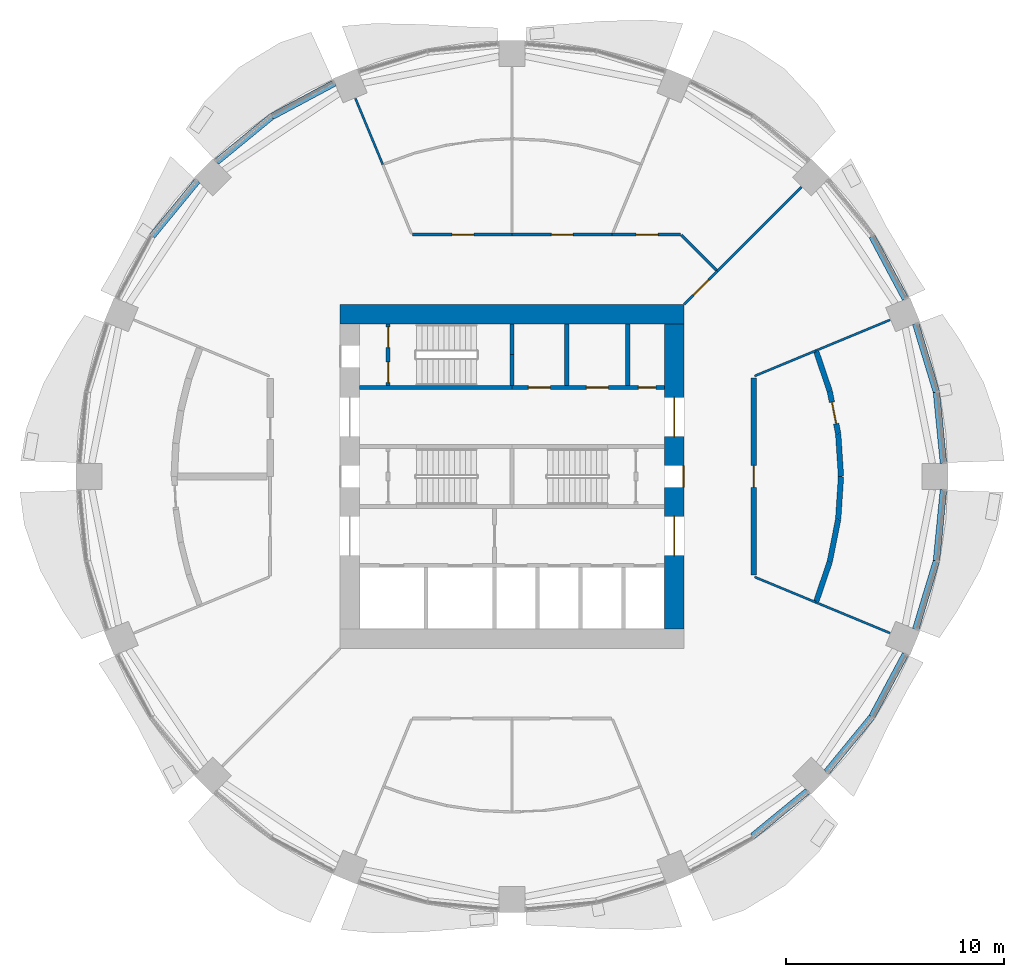
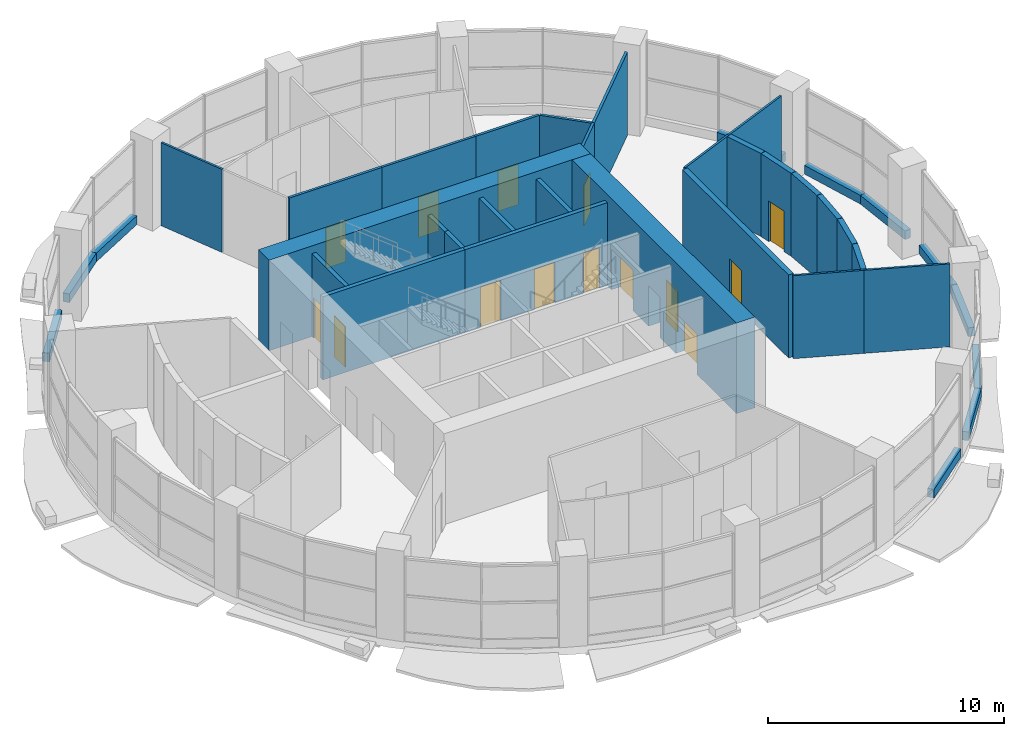
# One storey, part 9 of 14: 38 walls, 14 doors, 14 openings.
"""IFC4 building model written with IfcOpenShell, lengths in metres."""

from ifc_helpers import new_model, si_unit, direction, frame, frame_2d, origin, place, context, subcontext, project, spatial, rectangle, extrude, material, layer, layer_set, type_object, element, fill, save


model = new_model("IFC4")

# Units and contexts
model_context = context("Model", 3, precision=1e-05, world=origin(), true_north=direction((0.0, 1.0)))
body_context = subcontext(model_context, "Body", "Model", "MODEL_VIEW")
ifc_project = project(units=[si_unit("LENGTHUNIT", "METRE"), si_unit("AREAUNIT", "SQUARE_METRE"), si_unit("VOLUMEUNIT", "CUBIC_METRE"), si_unit("PLANEANGLEUNIT", "RADIAN"), si_unit("MASSUNIT", "GRAM", prefix="KILO")], contexts=[model_context])

# Site, building, storey
site_placement = place(None, origin())
site = spatial("IfcSite", under=ifc_project, at=site_placement, CompositionType="ELEMENT")
building_placement = place(site_placement, origin())
building = spatial("IfcBuilding", under=site, at=building_placement, Name="Polderwave Tower", CompositionType="ELEMENT")
storey_placement = place(building_placement, frame((0.0, 0.0, 5.199951171875)))
storey = spatial("IfcBuildingStorey", under=building, at=storey_placement, Name="L01", CompositionType="ELEMENT", Elevation=5.199951171875)

# Wall
ifc_material_1 = material(Name="Concrete C80/95", Category="concrete")
ifc_layer_1 = layer(ifc_material_1, 0.89990234375)
ifc_layer_set_1 = layer_set([ifc_layer_1], Name="CORE WALL 900 C80/95")
wall_type_1 = type_object("IfcWallType", Name="CORE WALL 900 C80/95", PredefinedType="SHEAR", material=ifc_layer_set_1)
wall_1_placement = place(storey_placement, frame((-7.8740234375, 7.424072265625, 0.0), z_axis=(0.0, 0.0, 1.0), x_axis=(1.0, 0.0, 0.0)))
element("IfcWall", 1, at=wall_1_placement, inside=storey, type_object=wall_type_1, Name="ST-CORE-L01-N", PredefinedType="SHEAR", context=body_context, shape_type="SweptSolid", body=[
    extrude(rectangle(XDim=15.748046875, YDim=0.89990234375, at=frame_2d((7.8740234375, 0.0))), origin(), (0.0, 0.0, 1.0), 4.699951171875),
])

# Wall, openings, doors
wall_2_placement = place(storey_placement, frame((7.424072265625, -6.97412109375, 0.0), z_axis=(0.0, 0.0, 1.0), x_axis=(0.0, 1.0, 0.0)))
wall_2 = element("IfcWall", 2, at=wall_2_placement, inside=storey, type_object=wall_type_1, Name="ST-CORE-L01-E", PredefinedType="SHEAR", context=body_context, shape_type="SweptSolid", body=[
    extrude(rectangle(XDim=13.9482421875, YDim=0.89990234375, at=frame_2d((6.97412109375, 0.0))), origin(), (0.0, 0.0, 1.0), 4.699951171875),
])
opening_1_placement = place(wall_2_placement, frame((6.47412109375, 0.0, 0.0)))
opening_1 = element("IfcOpeningElement", 3, at=opening_1_placement, cuts=wall_2, Name="Opening L01-D21", PredefinedType="OPENING", context=body_context, shape_type="SweptSolid", body=[
    extrude(rectangle(XDim=1.0, YDim=2.10009765625, at=frame_2d((0.5, 1.050048828125))), frame((0.0, 0.4599609375, 0.0), z_axis=(0.0, -1.0, 0.0), x_axis=(1.0, 0.0, 0.0)), (0.0, 0.0, 1.0), 0.919921875),
])
opening_2_placement = place(wall_2_placement, frame((3.349609375, 0.0, 0.0)))
opening_2 = element("IfcOpeningElement", 4, at=opening_2_placement, cuts=wall_2, Name="Opening L01-D22", PredefinedType="OPENING", context=body_context, shape_type="SweptSolid", body=[
    extrude(rectangle(XDim=1.800048828125, YDim=2.10009765625, at=frame_2d((0.89990234375, 1.050048828125))), frame((0.0, 0.4599609375, 0.0), z_axis=(0.0, -1.0, 0.0), x_axis=(1.0, 0.0, 0.0)), (0.0, 0.0, 1.0), 0.919921875),
])
opening_3_placement = place(wall_2_placement, frame((8.798583984375, 0.0, 0.0)))
opening_3 = element("IfcOpeningElement", 5, at=opening_3_placement, cuts=wall_2, Name="Opening L01-D23", PredefinedType="OPENING", context=body_context, shape_type="SweptSolid", body=[
    extrude(rectangle(XDim=1.800048828125, YDim=2.10009765625, at=frame_2d((0.89990234375, 1.050048828125))), frame((0.0, 0.4599609375, 0.0), z_axis=(0.0, -1.0, 0.0), x_axis=(1.0, 0.0, 0.0)), (0.0, 0.0, 1.0), 0.919921875),
])
ifc_material_2 = material(Name="Steel fire door", Category="steel")
door_type_1 = type_object("IfcDoorType", Name="Lobby entry door pair 1800", OperationType="DOUBLE_DOOR_SINGLE_SWING", PredefinedType="DOOR", material=ifc_material_2)
door_1_placement = place(opening_2_placement, frame((1.800048828125, 0.0, 0.0), z_axis=(0.0, 0.0, 1.0), x_axis=(-1.0, 0.0, 0.0)))
door_1 = element("IfcDoor", 6, at=door_1_placement, inside=storey, type_object=door_type_1, Name="South lobby entry door", OperationType="DOUBLE_DOOR_SINGLE_SWING", OverallHeight=2.10009765625, OverallWidth=1.800048828125, PredefinedType="DOOR", context=body_context, shape_type="SweptSolid", body=[
    extrude(rectangle(XDim=1.800048828125, YDim=2.10009765625, at=frame_2d((0.89990234375, 1.050048828125))), frame((0.0, 0.02490234375, 0.0), z_axis=(0.0, -1.0, 0.0), x_axis=(1.0, 0.0, 0.0)), (0.0, 0.0, 1.0), 0.050048828125),
])
fill(opening_2, door_1)
door_2_placement = place(opening_3_placement, frame((1.800048828125, 0.0, 0.0), z_axis=(0.0, 0.0, 1.0), x_axis=(-1.0, 0.0, 0.0)))
door_2 = element("IfcDoor", 7, at=door_2_placement, inside=storey, type_object=door_type_1, Name="North lobby entry door", OperationType="DOUBLE_DOOR_SINGLE_SWING", OverallHeight=2.10009765625, OverallWidth=1.800048828125, PredefinedType="DOOR", context=body_context, shape_type="SweptSolid", body=[
    extrude(rectangle(XDim=1.800048828125, YDim=2.10009765625, at=frame_2d((0.89990234375, 1.050048828125))), frame((0.0, 0.02490234375, 0.0), z_axis=(0.0, -1.0, 0.0), x_axis=(1.0, 0.0, 0.0)), (0.0, 0.0, 1.0), 0.050048828125),
])
fill(opening_3, door_2)
door_type_2 = type_object("IfcDoorType", Name="Stair door 1000", OperationType="NOTDEFINED", PredefinedType="DOOR", material=ifc_material_2)
door_3_placement = place(opening_1_placement, frame((1.0, 0.0, 0.0), z_axis=(0.0, 0.0, 1.0), x_axis=(-1.0, 0.0, 0.0)))
door_3 = element("IfcDoor", 8, at=door_3_placement, inside=storey, type_object=door_type_2, Name="Stair B entry door", OperationType="SINGLE_SWING_LEFT", OverallHeight=2.10009765625, OverallWidth=1.0, PredefinedType="DOOR", context=body_context, shape_type="SweptSolid", body=[
    extrude(rectangle(XDim=1.0, YDim=2.10009765625, at=frame_2d((0.5, 1.050048828125))), frame((0.0, 0.4501953125, 0.0), z_axis=(0.0, -1.0, 0.0), x_axis=(1.0, 0.0, 0.0)), (0.0, 0.0, 1.0), 0.050048828125),
])
fill(opening_1, door_3)

# Walls
ifc_material_3 = material(Name="Concrete C50/60 (board-marked)", Category="concrete")
ifc_layer_2 = layer(ifc_material_3, 0.300048828125)
ifc_layer_set_2 = layer_set([ifc_layer_2], Name="Concrete spandrel upstand C50/60")
wall_type_2 = type_object("IfcWallType", Name="Concrete spandrel upstand C50/60", PredefinedType="SOLIDWALL", material=ifc_layer_set_2)
wall_3_placement = place(storey_placement, frame((19.74951171875, 0.61279296875, 0.0), z_axis=(0.0, 0.0, 1.0), x_axis=(-0.098121081057, 0.995174483923, 0.0)))
element("IfcWall", 9, at=wall_3_placement, inside=storey, type_object=wall_type_2, Name="Spandrel L01 1a", PredefinedType="SOLIDWALL", context=body_context, shape_type="SweptSolid", body=[
    extrude(rectangle(XDim=3.251953125, YDim=0.300048828125, at=frame_2d((1.6259765625, 0.0))), origin(), (0.0, 0.0, 1.0), 0.449951171875),
])
wall_4_placement = place(storey_placement, frame((19.424560546875, 3.87841796875, 0.0), z_axis=(0.0, 0.0, 1.0), x_axis=(-0.290301164038, 0.956935334366, 0.0)))
element("IfcWall", 10, at=wall_4_placement, inside=storey, type_object=wall_type_2, Name="Spandrel L01 1b", PredefinedType="SOLIDWALL", context=body_context, shape_type="SweptSolid", body=[
    extrude(rectangle(XDim=3.252197265625, YDim=0.300048828125, at=frame_2d((1.6259765625, 0.0))), origin(), (0.0, 0.0, 1.0), 0.449951171875),
])
for number, where, z_axis, x_axis, name in (
    (11, (18.010986328125, 8.124267578125, 0.0), (0.0, 0.0, 1.0), (-0.471308820961, 0.881968250723, 0.0), "Spandrel L01 2a"),
    (12, (-8.124267578125, 18.010986328125, 0.0), (0.0, 0.0, 1.0), (-0.881968250723, -0.471308820961, 0.0), "Spandrel L01 6a"),
):
    element("IfcWall", number, at=place(storey_placement, frame(where, z_axis=z_axis, x_axis=x_axis)), inside=storey, type_object=wall_type_2, Name=name, PredefinedType="SOLIDWALL", context=body_context, shape_type="SweptSolid", body=[
        extrude(rectangle(XDim=3.25244140625, YDim=0.300048828125, at=frame_2d((1.626220703125, 0.0))), origin(), (0.0, 0.0, 1.0), 0.449951171875),
    ])
for number, where, z_axis, x_axis, name in (
    (13, (-11.017578125, 16.46142578125, 0.0), (0.0, 0.0, 1.0), (-0.773177214117, -0.634190031119, 0.0), "Spandrel L01 6b"),
    (14, (-14.3994140625, 13.531494140625, 0.0), (0.0, 0.0, 1.0), (-0.634190031119, -0.773177214117, 0.0), "Spandrel L01 7a"),
    (15, (11.017578125, -16.46142578125, 0.0), (0.0, 0.0, 1.0), (0.773177214117, 0.634190031119, 0.0), "Spandrel L01 14b"),
    (16, (14.3994140625, -13.531494140625, 0.0), (0.0, 0.0, 1.0), (0.634190031119, 0.773177214117, 0.0), "Spandrel L01 15a"),
):
    element("IfcWall", number, at=place(storey_placement, frame(where, z_axis=z_axis, x_axis=x_axis)), inside=storey, type_object=wall_type_2, Name=name, PredefinedType="SOLIDWALL", context=body_context, shape_type="SweptSolid", body=[
        extrude(rectangle(XDim=3.25146484375, YDim=0.300048828125, at=frame_2d((1.625732421875, 0.0))), origin(), (0.0, 0.0, 1.0), 0.449951171875),
    ])
wall_5_placement = place(storey_placement, frame((16.47802734375, -10.992919921875, 0.0), z_axis=(0.0, 0.0, 1.0), x_axis=(0.471308820961, 0.881968250723, 0.0)))
element("IfcWall", 17, at=wall_5_placement, inside=storey, type_object=wall_type_2, Name="Spandrel L01 15b", PredefinedType="SOLIDWALL", context=body_context, shape_type="SweptSolid", body=[
    extrude(rectangle(XDim=3.25244140625, YDim=0.300048828125, at=frame_2d((1.626220703125, 0.0))), origin(), (0.0, 0.0, 1.0), 0.449951171875),
])
wall_6_placement = place(storey_placement, frame((18.48046875, -6.990478515625, 0.0), z_axis=(0.0, 0.0, 1.0), x_axis=(0.290301164038, 0.956935334366, 0.0)))
element("IfcWall", 18, at=wall_6_placement, inside=storey, type_object=wall_type_2, Name="Spandrel L01 16a", PredefinedType="SOLIDWALL", context=body_context, shape_type="SweptSolid", body=[
    extrude(rectangle(XDim=3.252197265625, YDim=0.300048828125, at=frame_2d((1.6259765625, 0.0))), origin(), (0.0, 0.0, 1.0), 0.449951171875),
])
wall_7_placement = place(storey_placement, frame((19.430419921875, -3.84912109375, 0.0), z_axis=(0.0, 0.0, 1.0), x_axis=(0.098121081057, 0.995174483923, 0.0)))
element("IfcWall", 19, at=wall_7_placement, inside=storey, type_object=wall_type_2, Name="Spandrel L01 16b", PredefinedType="SOLIDWALL", context=body_context, shape_type="SweptSolid", body=[
    extrude(rectangle(XDim=3.251953125, YDim=0.300048828125, at=frame_2d((1.6259765625, 0.0))), origin(), (0.0, 0.0, 1.0), 0.449951171875),
])
ifc_material_4 = material(Name="Gypsum board partition")
ifc_layer_3 = layer(ifc_material_4, 0.199951171875)
ifc_layer_set_3 = layer_set([ifc_layer_3], Name="Core room partition 200")
wall_type_3 = type_object("IfcWallType", Name="Core room partition 200", PredefinedType="PARTITIONING", material=ifc_layer_set_3)
wall_8_placement = place(storey_placement, frame((2.508544921875, 4.174072265625, 0.0), z_axis=(0.0, 0.0, 1.0), x_axis=(0.0, 1.0, 0.0)))
element("IfcWall", 20, at=wall_8_placement, inside=storey, type_object=wall_type_3, Name="L01 room partition N1", PredefinedType="PARTITIONING", context=body_context, shape_type="SweptSolid", body=[
    extrude(rectangle(XDim=2.800048828125, YDim=0.199951171875, at=frame_2d((1.39990234375, 0.0))), origin(), (0.0, 0.0, 1.0), 4.300048828125),
])

# Wall, openings, doors
wall_9_placement = place(storey_placement, frame((-5.674072265625, 4.174072265625, 0.0), z_axis=(0.0, 0.0, 1.0), x_axis=(0.0, 1.0, 0.0)))
wall_9 = element("IfcWall", 21, at=wall_9_placement, inside=storey, type_object=wall_type_3, Name="L01 smoke lobby wall C", PredefinedType="PARTITIONING", context=body_context, shape_type="SweptSolid", body=[
    extrude(rectangle(XDim=2.800048828125, YDim=0.199951171875, at=frame_2d((1.39990234375, 0.0))), origin(), (0.0, 0.0, 1.0), 4.300048828125),
])
opening_4_placement = place(wall_9_placement, frame((0.125, 0.0, 0.0)))
opening_4 = element("IfcOpeningElement", 22, at=opening_4_placement, cuts=wall_9, Name="Opening L01-D11", PredefinedType="OPENING", context=body_context, shape_type="SweptSolid", body=[
    extrude(rectangle(XDim=0.949951171875, YDim=2.10009765625, at=frame_2d((0.47509765625, 1.050048828125))), frame((0.0, 0.10986328125, 0.0), z_axis=(0.0, -1.0, 0.0), x_axis=(1.0, 0.0, 0.0)), (0.0, 0.0, 1.0), 0.219970703125),
])
opening_5_placement = place(wall_9_placement, frame((1.72509765625, 0.0, 0.0)))
opening_5 = element("IfcOpeningElement", 23, at=opening_5_placement, cuts=wall_9, Name="Opening L01-D12", PredefinedType="OPENING", context=body_context, shape_type="SweptSolid", body=[
    extrude(rectangle(XDim=0.949951171875, YDim=2.10009765625, at=frame_2d((0.47509765625, 1.050048828125))), frame((0.0, 0.10986328125, 0.0), z_axis=(0.0, -1.0, 0.0), x_axis=(1.0, 0.0, 0.0)), (0.0, 0.0, 1.0), 0.219970703125),
])
door_type_3 = type_object("IfcDoorType", Name="Smoke lobby door 950", OperationType="NOTDEFINED", PredefinedType="DOOR", material=ifc_material_2)
door_4_placement = place(opening_4_placement, origin())
door_4 = element("IfcDoor", 24, at=door_4_placement, inside=storey, type_object=door_type_3, Name="Stair C smoke lobby inner door", OperationType="SINGLE_SWING_LEFT", OverallHeight=2.10009765625, OverallWidth=0.949951171875, PredefinedType="DOOR", context=body_context, shape_type="SweptSolid", body=[
    extrude(rectangle(XDim=0.949951171875, YDim=2.10009765625, at=frame_2d((0.47509765625, 1.050048828125))), frame((0.0, 0.02490234375, 0.0), z_axis=(0.0, -1.0, 0.0), x_axis=(1.0, 0.0, 0.0)), (0.0, 0.0, 1.0), 0.050048828125),
])
fill(opening_4, door_4)
door_5_placement = place(opening_5_placement, origin())
door_5 = element("IfcDoor", 25, at=door_5_placement, inside=storey, type_object=door_type_3, Name="Stair C smoke lobby inner door", OperationType="SINGLE_SWING_RIGHT", OverallHeight=2.10009765625, OverallWidth=0.949951171875, PredefinedType="DOOR", context=body_context, shape_type="SweptSolid", body=[
    extrude(rectangle(XDim=0.949951171875, YDim=2.10009765625, at=frame_2d((0.47509765625, 1.050048828125))), frame((0.0, 0.02490234375, 0.0), z_axis=(0.0, -1.0, 0.0), x_axis=(1.0, 0.0, 0.0)), (0.0, 0.0, 1.0), 0.050048828125),
])
fill(opening_5, door_5)

# Wall
ifc_material_5 = material(Name="Concrete C50/60", Category="concrete")
ifc_layer_4 = layer(ifc_material_5, 0.199951171875)
ifc_layer_set_4 = layer_set([ifc_layer_4], Name="Core web wall 200")
wall_type_4 = type_object("IfcWallType", Name="Core web wall 200", PredefinedType="SHEAR", material=ifc_layer_set_4)
wall_10_placement = place(storey_placement, frame((-6.97412109375, 4.073974609375, 0.0), z_axis=(0.0, 0.0, 1.0), x_axis=(1.0, 0.0, 0.0)))
element("IfcWall", 26, at=wall_10_placement, inside=storey, type_object=wall_type_4, Name="L01 north front wall 1", PredefinedType="SHEAR", context=body_context, shape_type="SweptSolid", body=[
    extrude(rectangle(XDim=6.97412109375, YDim=0.199951171875, at=frame_2d((3.487060546875, 0.0))), origin(), (0.0, 0.0, 1.0), 4.300048828125),
])

# Wall, openings, doors
wall_11_placement = place(storey_placement, frame((0.0, 4.073974609375, 0.0), z_axis=(0.0, 0.0, 1.0), x_axis=(1.0, 0.0, 0.0)))
wall_11 = element("IfcWall", 27, at=wall_11_placement, inside=storey, type_object=wall_type_4, Name="L01 north front wall 2", PredefinedType="SHEAR", context=body_context, shape_type="SweptSolid", body=[
    extrude(rectangle(XDim=6.97412109375, YDim=0.199951171875, at=frame_2d((3.487060546875, 0.0))), origin(), (0.0, 0.0, 1.0), 4.300048828125),
])
opening_6_placement = place(wall_11_placement, frame((0.754150390625, 0.0, 0.0)))
opening_6 = element("IfcOpeningElement", 28, at=opening_6_placement, cuts=wall_11, Name="Opening L01-D14", PredefinedType="OPENING", context=body_context, shape_type="SweptSolid", body=[
    extrude(rectangle(XDim=1.0, YDim=2.10009765625, at=frame_2d((0.5, 1.050048828125))), frame((0.0, 0.10986328125, 0.0), z_axis=(0.0, -1.0, 0.0), x_axis=(1.0, 0.0, 0.0)), (0.0, 0.0, 1.0), 0.219970703125),
])
opening_7_placement = place(wall_11_placement, frame((3.406982421875, 0.0, 0.0)))
opening_7 = element("IfcOpeningElement", 29, at=opening_7_placement, cuts=wall_11, Name="Opening L01-D15", PredefinedType="OPENING", context=body_context, shape_type="SweptSolid", body=[
    extrude(rectangle(XDim=1.0, YDim=2.10009765625, at=frame_2d((0.5, 1.050048828125))), frame((0.0, 0.10986328125, 0.0), z_axis=(0.0, -1.0, 0.0), x_axis=(1.0, 0.0, 0.0)), (0.0, 0.0, 1.0), 0.219970703125),
])
opening_8_placement = place(wall_11_placement, frame((5.789794921875, 0.0, 0.0)))
opening_8 = element("IfcOpeningElement", 30, at=opening_8_placement, cuts=wall_11, Name="Opening L01-D16", PredefinedType="OPENING", context=body_context, shape_type="SweptSolid", body=[
    extrude(rectangle(XDim=0.800048828125, YDim=2.10009765625, at=frame_2d((0.39990234375, 1.050048828125))), frame((0.0, 0.10986328125, 0.0), z_axis=(0.0, -1.0, 0.0), x_axis=(1.0, 0.0, 0.0)), (0.0, 0.0, 1.0), 0.219970703125),
])
ifc_material_6 = material(Name="Timber door leaf", Category="wood")
door_type_4 = type_object("IfcDoorType", Name="Accessible WC door 1000", OperationType="NOTDEFINED", PredefinedType="DOOR", material=ifc_material_6)
door_6_placement = place(opening_6_placement, origin())
door_6 = element("IfcDoor", 31, at=door_6_placement, inside=storey, type_object=door_type_4, Name="Accessible WC door", OperationType="SINGLE_SWING_LEFT", OverallHeight=2.10009765625, OverallWidth=1.0, PredefinedType="DOOR", context=body_context, shape_type="SweptSolid", body=[
    extrude(rectangle(XDim=1.0, YDim=2.10009765625, at=frame_2d((0.5, 1.050048828125))), frame((0.0, 0.02490234375, 0.0), z_axis=(0.0, -1.0, 0.0), x_axis=(1.0, 0.0, 0.0)), (0.0, 0.0, 1.0), 0.050048828125),
])
fill(opening_6, door_6)
door_type_5 = type_object("IfcDoorType", Name="Riser door 800", OperationType="NOTDEFINED", PredefinedType="DOOR", material=ifc_material_2)
door_7_placement = place(opening_8_placement, frame((0.800048828125, 0.0, 0.0), z_axis=(0.0, 0.0, 1.0), x_axis=(-1.0, 0.0, 0.0)))
door_7 = element("IfcDoor", 32, at=door_7_placement, inside=storey, type_object=door_type_5, Name="Riser door", OperationType="SINGLE_SWING_LEFT", OverallHeight=2.10009765625, OverallWidth=0.800048828125, PredefinedType="DOOR", context=body_context, shape_type="SweptSolid", body=[
    extrude(rectangle(XDim=0.800048828125, YDim=2.10009765625, at=frame_2d((0.39990234375, 1.050048828125))), frame((0.0, 0.02490234375, 0.0), z_axis=(0.0, -1.0, 0.0), x_axis=(1.0, 0.0, 0.0)), (0.0, 0.0, 1.0), 0.050048828125),
])
fill(opening_8, door_7)
door_type_6 = type_object("IfcDoorType", Name="Room door 1000", OperationType="NOTDEFINED", PredefinedType="DOOR", material=ifc_material_6)
door_8_placement = place(opening_7_placement, origin())
door_8 = element("IfcDoor", 33, at=door_8_placement, inside=storey, type_object=door_type_6, Name="Pantry door", OperationType="SINGLE_SWING_RIGHT", OverallHeight=2.10009765625, OverallWidth=1.0, PredefinedType="DOOR", context=body_context, shape_type="SweptSolid", body=[
    extrude(rectangle(XDim=1.0, YDim=2.10009765625, at=frame_2d((0.5, 1.050048828125))), frame((0.0, 0.02490234375, 0.0), z_axis=(0.0, -1.0, 0.0), x_axis=(1.0, 0.0, 0.0)), (0.0, 0.0, 1.0), 0.050048828125),
])
fill(opening_7, door_8)

# Walls
wall_12_placement = place(storey_placement, frame((0.0, 4.174072265625, 0.0), z_axis=(0.0, 0.0, 1.0), x_axis=(0.0, 1.0, 0.0)))
element("IfcWall", 34, at=wall_12_placement, inside=storey, type_object=wall_type_4, Name="L01 stair C wall south", PredefinedType="SHEAR", context=body_context, shape_type="SweptSolid", body=[
    extrude(rectangle(XDim=1.39990234375, YDim=0.199951171875, at=frame_2d((0.699951171875, 0.0))), origin(), (0.0, 0.0, 1.0), 4.300048828125),
])
wall_13_placement = place(storey_placement, frame((0.0, 5.573974609375, 0.0), z_axis=(0.0, 0.0, 1.0), x_axis=(0.0, 1.0, 0.0)))
element("IfcWall", 35, at=wall_13_placement, inside=storey, type_object=wall_type_4, Name="L01 stair C wall north", PredefinedType="SHEAR", context=body_context, shape_type="SweptSolid", body=[
    extrude(rectangle(XDim=1.400146484375, YDim=0.199951171875, at=frame_2d((0.7001953125, 0.0))), origin(), (0.0, 0.0, 1.0), 4.300048828125),
])

# Wall, opening, door
ifc_material_7 = material(Name="Fire-resisting board on steel studs", Category="steel")
ifc_layer_5 = layer(ifc_material_7, 0.125)
ifc_layer_set_5 = layer_set([ifc_layer_5], Name="Corridor wall 125 mm EI 60")
wall_type_5 = type_object("IfcWallType", Name="Corridor wall 125 mm EI 60", PredefinedType="PARTITIONING", material=ifc_layer_set_5)
wall_14_placement = place(storey_placement, frame((7.8740234375, 7.8740234375, 0.0), z_axis=(0.0, 0.0, 1.0), x_axis=(0.707106781187, 0.707106781187, 0.0)))
wall_14 = element("IfcWall", 36, at=wall_14_placement, inside=storey, type_object=wall_type_5, Name="IN-L01-W001", PredefinedType="PARTITIONING", context=body_context, shape_type="SweptSolid", body=[
    extrude(rectangle(XDim=2.16455078125, YDim=0.125, at=frame_2d((1.082275390625, 0.0))), origin(), (0.0, 0.0, 1.0), 4.300048828125),
])
opening_9_placement = place(wall_14_placement, frame((0.60009765625, 0.0, 0.0)))
opening_9 = element("IfcOpeningElement", 37, at=opening_9_placement, cuts=wall_14, Name="Opening L01-D50", PredefinedType="OPENING", context=body_context, shape_type="SweptSolid", body=[
    extrude(rectangle(XDim=1.0, YDim=2.10009765625, at=frame_2d((0.5, 1.050048828125))), frame((0.0, 0.072509765625, 0.0), z_axis=(0.0, -1.0, 0.0), x_axis=(1.0, 0.0, 0.0)), (0.0, 0.0, 1.0), 0.14501953125),
])
ifc_material_8 = material(Name="Timber fire door leaf", Category="wood")
door_type_7 = type_object("IfcDoorType", Name="Fire door FD30S 1000 x 2100", OperationType="NOTDEFINED", PredefinedType="DOOR", material=ifc_material_8)
door_9_placement = place(opening_9_placement, origin())
door_9 = element("IfcDoor", 38, at=door_9_placement, inside=storey, type_object=door_type_7, Name="Door L01-D50", OperationType="SINGLE_SWING_RIGHT", OverallHeight=2.10009765625, OverallWidth=1.0, PredefinedType="DOOR", context=body_context, shape_type="SweptSolid", body=[
    extrude(rectangle(XDim=1.0, YDim=2.10009765625, at=frame_2d((0.5, 1.050048828125))), frame((0.0, 0.02490234375, 0.0), z_axis=(0.0, -1.0, 0.0), x_axis=(1.0, 0.0, 0.0)), (0.0, 0.0, 1.0), 0.050048828125),
])
fill(opening_9, door_9)

wall_15_placement = place(storey_placement, frame((4.5869140625, 11.073974609375, 0.0), z_axis=(0.0, 0.0, 1.0), x_axis=(1.0, 0.0, 0.0)))
wall_15 = element("IfcWall", 39, at=wall_15_placement, inside=storey, type_object=wall_type_5, Name="IN-L01-W003", PredefinedType="PARTITIONING", context=body_context, shape_type="SweptSolid", body=[
    extrude(rectangle(XDim=3.1220703125, YDim=0.125, at=frame_2d((1.56103515625, 0.0))), origin(), (0.0, 0.0, 1.0), 4.300048828125),
])
opening_10_placement = place(wall_15_placement, frame((1.10009765625, 0.0, 0.0)))
opening_10 = element("IfcOpeningElement", 40, at=opening_10_placement, cuts=wall_15, Name="Opening L01-D52", PredefinedType="OPENING", context=body_context, shape_type="SweptSolid", body=[
    extrude(rectangle(XDim=1.0, YDim=2.10009765625, at=frame_2d((0.5, 1.050048828125))), frame((0.0, 0.072509765625, 0.0), z_axis=(0.0, -1.0, 0.0), x_axis=(1.0, 0.0, 0.0)), (0.0, 0.0, 1.0), 0.14501953125),
])
door_10_placement = place(opening_10_placement, origin())
door_10 = element("IfcDoor", 41, at=door_10_placement, inside=storey, type_object=door_type_7, Name="Door L01-D52", OperationType="SINGLE_SWING_RIGHT", OverallHeight=2.10009765625, OverallWidth=1.0, PredefinedType="DOOR", context=body_context, shape_type="SweptSolid", body=[
    extrude(rectangle(XDim=1.0, YDim=2.10009765625, at=frame_2d((0.5, 1.050048828125))), frame((0.0, 0.02490234375, 0.0), z_axis=(0.0, -1.0, 0.0), x_axis=(1.0, 0.0, 0.0)), (0.0, 0.0, 1.0), 0.050048828125),
])
fill(opening_10, door_10)

# Wall
wall_16_placement = place(storey_placement, frame((7.75341796875, 11.0556640625, 0.0), z_axis=(0.0, 0.0, 1.0), x_axis=(0.707106781187, -0.707106781187, 0.0)))
element("IfcWall", 42, at=wall_16_placement, inside=storey, type_object=wall_type_5, Name="IN-L01-W004", PredefinedType="PARTITIONING", context=body_context, shape_type="SweptSolid", body=[
    extrude(rectangle(XDim=2.2724609375, YDim=0.125, at=frame_2d((1.13623046875, 0.0))), origin(), (0.0, 0.0, 1.0), 4.300048828125),
])

# Wall, opening, door
wall_17_placement = place(storey_placement, frame((0.0, 11.073974609375, 0.0), z_axis=(0.0, 0.0, 1.0), x_axis=(1.0, 0.0, 0.0)))
wall_17 = element("IfcWall", 43, at=wall_17_placement, inside=storey, type_object=wall_type_5, Name="IN-L01-W005", PredefinedType="PARTITIONING", context=body_context, shape_type="SweptSolid", body=[
    extrude(rectangle(XDim=4.5869140625, YDim=0.125, at=frame_2d((2.29345703125, 0.0))), origin(), (0.0, 0.0, 1.0), 4.300048828125),
])
opening_11_placement = place(wall_17_placement, frame((1.800048828125, 0.0, 0.0)))
opening_11 = element("IfcOpeningElement", 44, at=opening_11_placement, cuts=wall_17, Name="Opening L01-D53", PredefinedType="OPENING", context=body_context, shape_type="SweptSolid", body=[
    extrude(rectangle(XDim=1.0, YDim=2.10009765625, at=frame_2d((0.5, 1.050048828125))), frame((0.0, 0.072509765625, 0.0), z_axis=(0.0, -1.0, 0.0), x_axis=(1.0, 0.0, 0.0)), (0.0, 0.0, 1.0), 0.14501953125),
])
door_11_placement = place(opening_11_placement, origin())
door_11 = element("IfcDoor", 45, at=door_11_placement, inside=storey, type_object=door_type_7, Name="Door L01-D53", OperationType="SINGLE_SWING_RIGHT", OverallHeight=2.10009765625, OverallWidth=1.0, PredefinedType="DOOR", context=body_context, shape_type="SweptSolid", body=[
    extrude(rectangle(XDim=1.0, YDim=2.10009765625, at=frame_2d((0.5, 1.050048828125))), frame((0.0, 0.02490234375, 0.0), z_axis=(0.0, -1.0, 0.0), x_axis=(1.0, 0.0, 0.0)), (0.0, 0.0, 1.0), 0.050048828125),
])
fill(opening_11, door_11)

wall_18_placement = place(storey_placement, frame((-4.545166015625, 11.073974609375, 0.0), z_axis=(0.0, 0.0, 1.0), x_axis=(1.0, 0.0, 0.0)))
wall_18 = element("IfcWall", 46, at=wall_18_placement, inside=storey, type_object=wall_type_5, Name="IN-L01-W006", PredefinedType="PARTITIONING", context=body_context, shape_type="SweptSolid", body=[
    extrude(rectangle(XDim=4.545166015625, YDim=0.125, at=frame_2d((2.2724609375, 0.0))), origin(), (0.0, 0.0, 1.0), 4.300048828125),
])
opening_12_placement = place(wall_18_placement, frame((1.800048828125, 0.0, 0.0)))
opening_12 = element("IfcOpeningElement", 47, at=opening_12_placement, cuts=wall_18, Name="Opening L01-D54", PredefinedType="OPENING", context=body_context, shape_type="SweptSolid", body=[
    extrude(rectangle(XDim=1.0, YDim=2.10009765625, at=frame_2d((0.5, 1.050048828125))), frame((0.0, 0.072509765625, 0.0), z_axis=(0.0, -1.0, 0.0), x_axis=(1.0, 0.0, 0.0)), (0.0, 0.0, 1.0), 0.14501953125),
])
door_12_placement = place(opening_12_placement, origin())
door_12 = element("IfcDoor", 48, at=door_12_placement, inside=storey, type_object=door_type_7, Name="Door L01-D54", OperationType="SINGLE_SWING_RIGHT", OverallHeight=2.10009765625, OverallWidth=1.0, PredefinedType="DOOR", context=body_context, shape_type="SweptSolid", body=[
    extrude(rectangle(XDim=1.0, YDim=2.10009765625, at=frame_2d((0.5, 1.050048828125))), frame((0.0, 0.02490234375, 0.0), z_axis=(0.0, -1.0, 0.0), x_axis=(1.0, 0.0, 0.0)), (0.0, 0.0, 1.0), 0.050048828125),
])
fill(opening_12, door_12)

# Walls
wall_19_placement = place(storey_placement, frame((9.404541015625, 9.404541015625, 0.0), z_axis=(0.0, 0.0, 1.0), x_axis=(0.707106781187, 0.707106781187, 0.0)))
element("IfcWall", 49, at=wall_19_placement, inside=storey, type_object=wall_type_5, Name="IN-L01-W022", PredefinedType="PARTITIONING", context=body_context, shape_type="SweptSolid", body=[
    extrude(rectangle(XDim=5.429931640625, YDim=0.125, at=frame_2d((2.71484375, 0.0))), origin(), (0.0, 0.0, 1.0), 4.300048828125),
])
ifc_material_9 = material(Name="Plasterboard on steel studs", Category="steel")
ifc_layer_6 = layer(ifc_material_9, 0.10009765625)
ifc_layer_set_6 = layer_set([ifc_layer_6], Name="Partition 100 mm plasterboard on steel studs")
wall_type_6 = type_object("IfcWallType", Name="Partition 100 mm plasterboard on steel studs", PredefinedType="PARTITIONING", material=ifc_layer_set_6)
for number, where, z_axis, x_axis, name in (
    (50, (11.10498046875, 4.599853515625, 0.0), (0.0, 0.0, 1.0), (0.923882735907, 0.382675698592, 0.0), "IN-L01-W018"),
    (51, (13.91357421875, -5.76318359375, 0.0), (0.0, 0.0, 1.0), (-0.923882735907, 0.382675698592, 0.0), "IN-L01-W019"),
):
    element("IfcWall", number, at=place(storey_placement, frame(where, z_axis=z_axis, x_axis=x_axis)), inside=storey, type_object=wall_type_6, Name=name, PredefinedType="PARTITIONING", context=body_context, shape_type="SweptSolid", body=[
        extrude(rectangle(XDim=3.0400390625, YDim=0.10009765625, at=frame_2d((1.52001953125, 0.0))), origin(), (0.0, 0.0, 1.0), 4.300048828125),
    ])
for number, where, z_axis, x_axis, name in (
    (52, (13.91357421875, 5.76318359375, 0.0), (0.0, 0.0, 1.0), (0.923870076355, 0.382706260748, 0.0), "IN-L01-W020"),
    (53, (17.30419921875, -7.167724609375, 0.0), (0.0, 0.0, 1.0), (-0.923870076355, 0.382706260748, 0.0), "IN-L01-W021"),
):
    element("IfcWall", number, at=place(storey_placement, frame(where, z_axis=z_axis, x_axis=x_axis)), inside=storey, type_object=wall_type_6, Name=name, PredefinedType="PARTITIONING", context=body_context, shape_type="SweptSolid", body=[
        extrude(rectangle(XDim=3.669921875, YDim=0.10009765625, at=frame_2d((1.8349609375, 0.0))), origin(), (0.0, 0.0, 1.0), 4.300048828125),
    ])
wall_20_placement = place(storey_placement, frame((-5.916259765625, 14.283203125, 0.0), z_axis=(0.0, 0.0, 1.0), x_axis=(-0.382716658507, 0.923865769093, 0.0)))
element("IfcWall", 54, at=wall_20_placement, inside=storey, type_object=wall_type_6, Name="IN-L01-W036", PredefinedType="PARTITIONING", context=body_context, shape_type="SweptSolid", body=[
    extrude(rectangle(XDim=3.27001953125, YDim=0.10009765625, at=frame_2d((1.635009765625, 0.0))), origin(), (0.0, 0.0, 1.0), 4.300048828125),
])

# Wall, opening, door
ifc_material_10 = material(Name="Fire-resisting board on steel studs, mineral wool", Category="steel")
ifc_layer_7 = layer(ifc_material_10, 0.25)
ifc_layer_set_7 = layer_set([ifc_layer_7], Name="Plant room wall 250 mm EI 120")
wall_type_7 = type_object("IfcWallType", Name="Plant room wall 250 mm EI 120", PredefinedType="PARTITIONING", material=ifc_layer_set_7)
wall_21_placement = place(storey_placement, frame((11.073974609375, 4.50341796875, 0.0), z_axis=(0.0, 0.0, 1.0), x_axis=(0.0, -1.0, 0.0)))
wall_21 = element("IfcWall", 55, at=wall_21_placement, inside=storey, type_object=wall_type_7, Name="IN-L01-W002", PredefinedType="PARTITIONING", context=body_context, shape_type="SweptSolid", body=[
    extrude(rectangle(XDim=9.0068359375, YDim=0.25, at=frame_2d((4.50341796875, 0.0))), origin(), (0.0, 0.0, 1.0), 4.300048828125),
])
opening_13_placement = place(wall_21_placement, frame((4.0, 0.0, 0.0)))
opening_13 = element("IfcOpeningElement", 56, at=opening_13_placement, cuts=wall_21, Name="Opening L01-D51", PredefinedType="OPENING", context=body_context, shape_type="SweptSolid", body=[
    extrude(rectangle(XDim=1.0, YDim=2.10009765625, at=frame_2d((0.5, 1.050048828125))), frame((0.0, 0.135009765625, 0.0), z_axis=(0.0, -1.0, 0.0), x_axis=(1.0, 0.0, 0.0)), (0.0, 0.0, 1.0), 0.27001953125),
])
ifc_material_11 = material(Name="Steel plant door leaf", Category="steel")
door_type_8 = type_object("IfcDoorType", Name="Plant door FD60 1000 x 2100 steel", OperationType="NOTDEFINED", PredefinedType="DOOR", material=ifc_material_11)
door_13_placement = place(opening_13_placement, origin())
door_13 = element("IfcDoor", 57, at=door_13_placement, inside=storey, type_object=door_type_8, Name="Door L01-D51", OperationType="SINGLE_SWING_LEFT", OverallHeight=2.10009765625, OverallWidth=1.0, PredefinedType="DOOR", context=body_context, shape_type="SweptSolid", body=[
    extrude(rectangle(XDim=1.0, YDim=2.10009765625, at=frame_2d((0.5, 1.050048828125))), frame((0.0, 0.02490234375, 0.0), z_axis=(0.0, -1.0, 0.0), x_axis=(1.0, 0.0, 0.0)), (0.0, 0.0, 1.0), 0.050048828125),
])
fill(opening_13, door_13)

# Walls
for number, where, z_axis, x_axis, name in (
    (58, (13.932373046875, 5.7080078125, 0.0), (0.0, 0.0, 1.0), (0.321417522661, -0.946937577735, 0.0), "IN-L01-W012"),
    (59, (14.544189453125, -3.905517578125, 0.0), (0.0, 0.0, 1.0), (-0.321417522661, -0.946937577735, 0.0), "IN-L01-W013"),
):
    element("IfcWall", number, at=place(storey_placement, frame(where, z_axis=z_axis, x_axis=x_axis)), inside=storey, type_object=wall_type_7, Name=name, PredefinedType="PARTITIONING", context=body_context, shape_type="SweptSolid", body=[
        extrude(rectangle(XDim=1.903564453125, YDim=0.25, at=frame_2d((0.95166015625, 0.0))), origin(), (0.0, 0.0, 1.0), 4.300048828125),
    ])

# Wall, opening, door
wall_22_placement = place(storey_placement, frame((14.54833984375, 3.889892578125, 0.0), z_axis=(0.0, 0.0, 1.0), x_axis=(0.195178887024, -0.980767659571, 0.0)))
wall_22 = element("IfcWall", 60, at=wall_22_placement, inside=storey, type_object=wall_type_7, Name="IN-L01-W014", PredefinedType="PARTITIONING", context=body_context, shape_type="SweptSolid", body=[
    extrude(rectangle(XDim=1.953857421875, YDim=0.25, at=frame_2d((0.97705078125, 0.0))), origin(), (0.0, 0.0, 1.0), 4.300048828125),
])
opening_14_placement = place(wall_22_placement, frame((0.5, 0.0, 0.0)))
opening_14 = element("IfcOpeningElement", 61, at=opening_14_placement, cuts=wall_22, Name="Opening L01-D60", PredefinedType="OPENING", context=body_context, shape_type="SweptSolid", body=[
    extrude(rectangle(XDim=1.0, YDim=2.10009765625, at=frame_2d((0.5, 1.050048828125))), frame((0.0, 0.135009765625, 0.0), z_axis=(0.0, -1.0, 0.0), x_axis=(1.0, 0.0, 0.0)), (0.0, 0.0, 1.0), 0.27001953125),
])
door_14_placement = place(opening_14_placement, origin())
door_14 = element("IfcDoor", 62, at=door_14_placement, inside=storey, type_object=door_type_8, Name="Door L01-D60", OperationType="SINGLE_SWING_RIGHT", OverallHeight=2.10009765625, OverallWidth=1.0, PredefinedType="DOOR", context=body_context, shape_type="SweptSolid", body=[
    extrude(rectangle(XDim=1.0, YDim=2.10009765625, at=frame_2d((0.5, 1.050048828125))), frame((0.0, 0.02490234375, 0.0), z_axis=(0.0, -1.0, 0.0), x_axis=(1.0, 0.0, 0.0)), (0.0, 0.0, 1.0), 0.050048828125),
])
fill(opening_14, door_14)

# Walls
wall_23_placement = place(storey_placement, frame((14.9296875, -1.9736328125, 0.0), z_axis=(0.0, 0.0, 1.0), x_axis=(-0.195178887024, -0.980767659571, 0.0)))
element("IfcWall", 63, at=wall_23_placement, inside=storey, type_object=wall_type_7, Name="IN-L01-W015", PredefinedType="PARTITIONING", context=body_context, shape_type="SweptSolid", body=[
    extrude(rectangle(XDim=1.953857421875, YDim=0.25, at=frame_2d((0.97705078125, 0.0))), origin(), (0.0, 0.0, 1.0), 4.300048828125),
])
for number, where, z_axis, x_axis, name in (
    (64, (14.931640625, 1.95751953125, 0.0), (0.0, 0.0, 1.0), (0.065490365439, -0.997853201646, 0.0), "IN-L01-W016"),
    (65, (15.0595703125, -0.00830078125, 0.0), (0.0, 0.0, 1.0), (-0.065490365439, -0.997853201646, 0.0), "IN-L01-W017"),
):
    element("IfcWall", number, at=place(storey_placement, frame(where, z_axis=z_axis, x_axis=x_axis)), inside=storey, type_object=wall_type_7, Name=name, PredefinedType="PARTITIONING", context=body_context, shape_type="SweptSolid", body=[
        extrude(rectangle(XDim=1.953369140625, YDim=0.25, at=frame_2d((0.9765625, 0.0))), origin(), (0.0, 0.0, 1.0), 4.300048828125),
    ])
ifc_material_12 = material(Name="Gypsum shaft wall system")
ifc_layer_8 = layer(ifc_material_12, 0.199951171875)
ifc_layer_set_8 = layer_set([ifc_layer_8], Name="Shaft wall 200")
wall_type_8 = type_object("IfcWallType", Name="Shaft wall 200", PredefinedType="PARTITIONING", material=ifc_layer_set_8)
wall_24_placement = place(storey_placement, frame((5.305419921875, 4.174072265625, 0.0), z_axis=(0.0, 0.0, 1.0), x_axis=(0.0, 1.0, 0.0)))
element("IfcWall", 66, at=wall_24_placement, inside=storey, type_object=wall_type_8, Name="L01 riser wall", PredefinedType="PARTITIONING", context=body_context, shape_type="SweptSolid", body=[
    extrude(rectangle(XDim=2.800048828125, YDim=0.199951171875, at=frame_2d((1.39990234375, 0.0))), origin(), (0.0, 0.0, 1.0), 4.300048828125),
])

save(model, "model.ifc")
